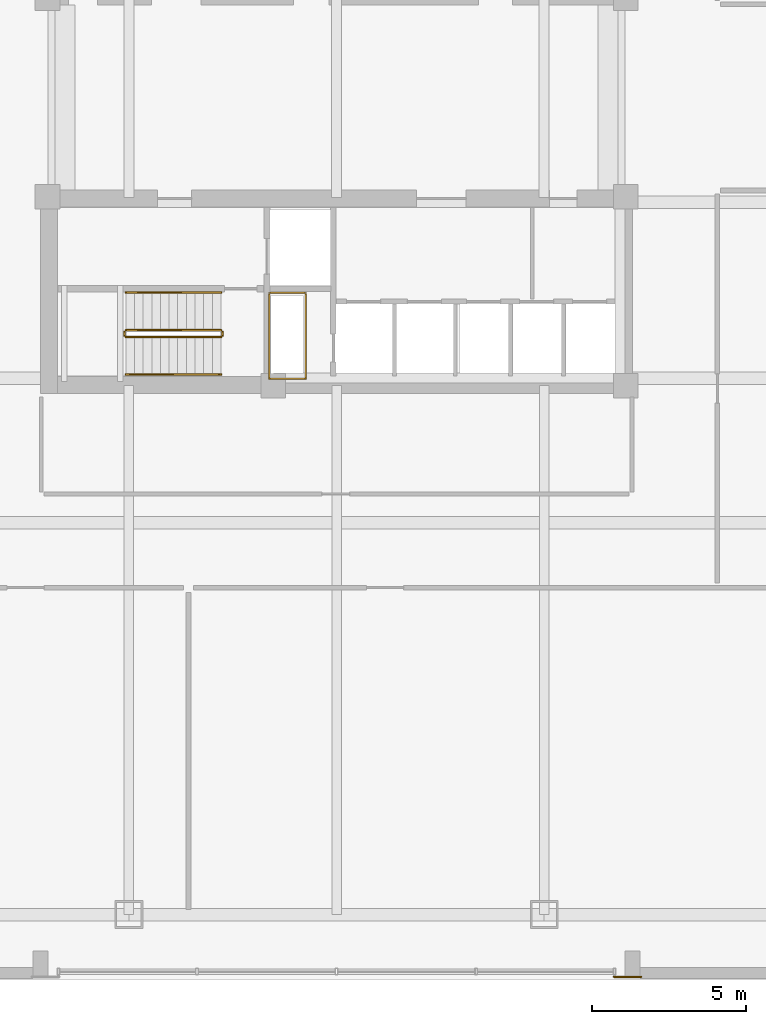
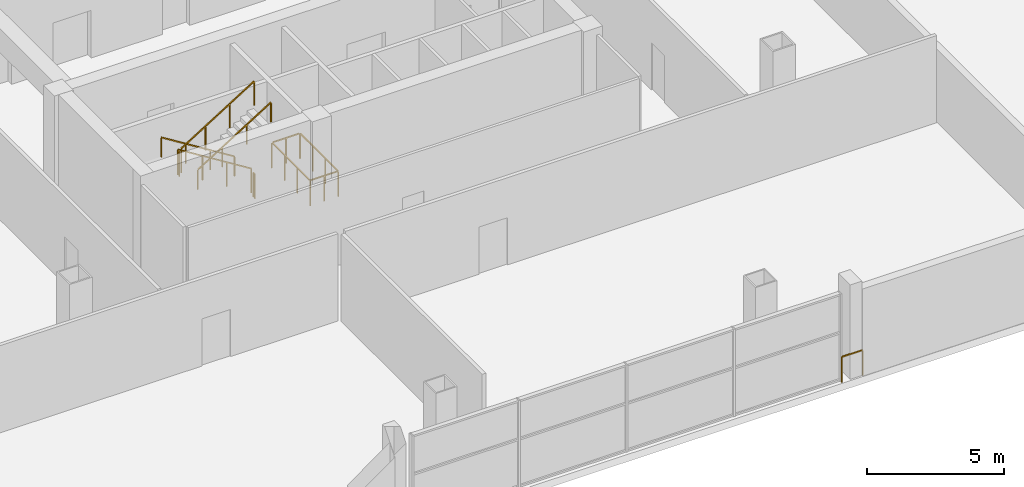
# One storey, part 18 of 21: 8 railings.
"""IFC4 building model written with IfcOpenShell, lengths in metres."""

from ifc_helpers import new_model, si_unit, direction, frame, origin, origin_2d, place, context, subcontext, project, spatial, rectangle, extrude, material, type_object, element, save


model = new_model("IFC4")

# Units and contexts
model_context = context("Model", 3, precision=1e-05, world=origin(), true_north=direction((0.0, 1.0)))
body_context = subcontext(model_context, "Body", "Model", "MODEL_VIEW")
ifc_project = project(units=[si_unit("LENGTHUNIT", "METRE"), si_unit("AREAUNIT", "SQUARE_METRE"), si_unit("VOLUMEUNIT", "CUBIC_METRE"), si_unit("PLANEANGLEUNIT", "RADIAN"), si_unit("MASSUNIT", "GRAM", prefix="KILO")], contexts=[model_context])

# Site, building, storey
site_placement = place(None, origin())
site = spatial("IfcSite", under=ifc_project, at=site_placement, CompositionType="ELEMENT")
building_placement = place(site_placement, origin())
building = spatial("IfcBuilding", under=site, at=building_placement, Name="Qhalaya Broadcast Tower", CompositionType="ELEMENT")
storey_placement = place(building_placement, frame((0.0, 0.0, 13.5)))
storey = spatial("IfcBuildingStorey", under=building, at=storey_placement, Name="L03", CompositionType="ELEMENT", Elevation=13.5)

# Railings
ifc_material = material(Name="Powder-Coated Galvanised Steel", Category="steel")
railing_type_1 = type_object("IfcRailingType", Name="Stair Wall Handrail 900", PredefinedType="HANDRAIL", material=ifc_material)
railing_1_placement = place(storey_placement, frame((-3.75, -5.72998046875, 0.175048828125)))
element("IfcRailing", 1, at=railing_1_placement, inside=storey, type_object=railing_type_1, Name="L03 ST-2 Stair Handrail 1", PredefinedType="HANDRAIL", context=body_context, shape_type="SweptSolid", body=[
    extrude(rectangle(XDim=0.048095703125, YDim=0.048095703125, at=origin_2d()), frame((0.0, 0.0, 0.8759765625), z_axis=(-0.847998304005, 0.0, 0.529998940003), x_axis=(0.0, -1.0, 0.0)), (0.0, 0.0, 1.0), 3.632080078125),
    extrude(rectangle(XDim=0.0419921875, YDim=0.0419921875, at=origin_2d()), origin(), (0.0, 0.0, 1.0), 0.849853515625),
    extrude(rectangle(XDim=0.0419921875, YDim=0.0419921875, at=origin_2d()), frame((-1.026611328125, 0.0, 0.6416015625)), (0.0, 0.0, 1.0), 0.849853515625),
    extrude(rectangle(XDim=0.0419921875, YDim=0.0419921875, at=origin_2d()), frame((-2.053466796875, 0.0, 1.283447265625)), (0.0, 0.0, 1.0), 0.849853515625),
    extrude(rectangle(XDim=0.0419921875, YDim=0.0419921875, at=origin_2d()), frame((-3.080078125, 0.0, 1.925048828125)), (0.0, 0.0, 1.0), 0.849853515625),
])
railing_2_placement = place(storey_placement, frame((-6.830078125, -8.389892578125, 2.27490234375)))
element("IfcRailing", 2, at=railing_2_placement, inside=storey, type_object=railing_type_1, Name="L03 ST-2 Stair Handrail 2", PredefinedType="HANDRAIL", context=body_context, shape_type="SweptSolid", body=[
    extrude(rectangle(XDim=0.048095703125, YDim=0.048095703125, at=origin_2d()), frame((0.0, 0.0, 0.8759765625), z_axis=(0.847998304005, 0.0, 0.529998940003), x_axis=(0.0, 1.0, 0.0)), (0.0, 0.0, 1.0), 3.632080078125),
    extrude(rectangle(XDim=0.0419921875, YDim=0.0419921875, at=origin_2d()), origin(), (0.0, 0.0, 1.0), 0.849853515625),
    extrude(rectangle(XDim=0.0419921875, YDim=0.0419921875, at=origin_2d()), frame((1.026611328125, 0.0, 0.6416015625)), (0.0, 0.0, 1.0), 0.849853515625),
    extrude(rectangle(XDim=0.0419921875, YDim=0.0419921875, at=origin_2d()), frame((2.053466796875, 0.0, 1.283447265625)), (0.0, 0.0, 1.0), 0.849853515625),
    extrude(rectangle(XDim=0.0419921875, YDim=0.0419921875, at=origin_2d()), frame((3.080078125, 0.0, 1.925048828125)), (0.0, 0.0, 1.0), 0.849853515625),
])
railing_type_2 = type_object("IfcRailingType", Name="Stair Well & Landing Guardrail 1100", PredefinedType="GUARDRAIL", material=ifc_material)
railing_3_placement = place(storey_placement, frame((-1.0, -8.52001953125, 0.0)))
element("IfcRailing", 3, at=railing_3_placement, inside=storey, type_object=railing_type_2, Name="L03 Service Riser Opening Safety Guard SRSR", PredefinedType="GUARDRAIL", context=body_context, shape_type="SweptSolid", body=[
    extrude(rectangle(XDim=0.048095703125, YDim=0.048095703125, at=origin_2d()), frame((0.0, 0.02880859375, 1.1259765625), z_axis=(0.0, 1.0, 0.0), x_axis=(-1.0, 0.0, 0.0)), (0.0, 0.0, 1.0), 2.722412109375),
    extrude(rectangle(XDim=0.048095703125, YDim=0.048095703125, at=origin_2d()), frame((-0.02880859375, 2.780029296875, 1.1259765625), z_axis=(-1.0, 0.0, 0.0), x_axis=(0.0, -1.0, 0.0)), (0.0, 0.0, 1.0), 1.122314453125),
    extrude(rectangle(XDim=0.048095703125, YDim=0.048095703125, at=origin_2d()), frame((-1.179931640625, 2.751220703125, 1.1259765625), z_axis=(0.0, -1.0, 0.0), x_axis=(1.0, 0.0, 0.0)), (0.0, 0.0, 1.0), 2.722412109375),
    extrude(rectangle(XDim=0.048095703125, YDim=0.048095703125, at=origin_2d()), frame((-1.151123046875, 0.0, 1.1259765625), z_axis=(1.0, 0.0, 0.0), x_axis=(0.0, 1.0, 0.0)), (0.0, 0.0, 1.0), 1.122314453125),
    extrude(rectangle(XDim=0.0419921875, YDim=0.0419921875, at=origin_2d()), origin(), (0.0, 0.0, 1.0), 1.099853515625),
    extrude(rectangle(XDim=0.0419921875, YDim=0.0419921875, at=origin_2d()), frame((0.0, 0.9267578125, 0.0)), (0.0, 0.0, 1.0), 1.099853515625),
    extrude(rectangle(XDim=0.0419921875, YDim=0.0419921875, at=origin_2d()), frame((0.0, 1.853271484375, 0.0)), (0.0, 0.0, 1.0), 1.099853515625),
    extrude(rectangle(XDim=0.0419921875, YDim=0.0419921875, at=origin_2d()), frame((0.0, 2.780029296875, 0.0)), (0.0, 0.0, 1.0), 1.099853515625),
    extrude(rectangle(XDim=0.0419921875, YDim=0.0419921875, at=origin_2d()), frame((-0.58984375, 2.780029296875, 0.0)), (0.0, 0.0, 1.0), 1.099853515625),
    extrude(rectangle(XDim=0.0419921875, YDim=0.0419921875, at=origin_2d()), frame((-1.179931640625, 2.780029296875, 0.0)), (0.0, 0.0, 1.0), 1.099853515625),
    extrude(rectangle(XDim=0.0419921875, YDim=0.0419921875, at=origin_2d()), frame((-1.179931640625, 1.853271484375, 0.0)), (0.0, 0.0, 1.0), 1.099853515625),
    extrude(rectangle(XDim=0.0419921875, YDim=0.0419921875, at=origin_2d()), frame((-1.179931640625, 0.9267578125, 0.0)), (0.0, 0.0, 1.0), 1.099853515625),
    extrude(rectangle(XDim=0.0419921875, YDim=0.0419921875, at=origin_2d()), frame((-1.179931640625, 0.0, 0.0)), (0.0, 0.0, 1.0), 1.099853515625),
    extrude(rectangle(XDim=0.0419921875, YDim=0.0419921875, at=origin_2d()), frame((-0.58984375, 0.0, 0.0)), (0.0, 0.0, 1.0), 1.099853515625),
])
railing_4_placement = place(storey_placement, frame((-3.75, -6.949951171875, 0.175048828125)))
element("IfcRailing", 4, at=railing_4_placement, inside=storey, type_object=railing_type_2, Name="L03 ST-2 Stair Guard 1", PredefinedType="GUARDRAIL", context=body_context, shape_type="SweptSolid", body=[
    extrude(rectangle(XDim=0.048095703125, YDim=0.048095703125, at=origin_2d()), frame((0.0, 0.0, 1.076171875), z_axis=(-0.847998304005, 0.0, 0.529998940003), x_axis=(0.0, -1.0, 0.0)), (0.0, 0.0, 1.0), 3.632080078125),
    extrude(rectangle(XDim=0.0419921875, YDim=0.0419921875, at=origin_2d()), origin(), (0.0, 0.0, 1.0), 1.050048828125),
    extrude(rectangle(XDim=0.0419921875, YDim=0.0419921875, at=origin_2d()), frame((-1.026611328125, 0.0, 0.6416015625)), (0.0, 0.0, 1.0), 1.050048828125),
    extrude(rectangle(XDim=0.0419921875, YDim=0.0419921875, at=origin_2d()), frame((-2.053466796875, 0.0, 1.283447265625)), (0.0, 0.0, 1.0), 1.050048828125),
    extrude(rectangle(XDim=0.0419921875, YDim=0.0419921875, at=origin_2d()), frame((-3.080078125, 0.0, 1.925048828125)), (0.0, 0.0, 1.0), 1.050048828125),
])
railing_5_placement = place(storey_placement, frame((-6.8798828125, -7.0, 2.10009765625)))
element("IfcRailing", 5, at=railing_5_placement, inside=storey, type_object=railing_type_2, Name="L03 ST-2 Stair Guard 2", PredefinedType="GUARDRAIL", context=body_context, shape_type="SweptSolid", body=[
    extrude(rectangle(XDim=0.048095703125, YDim=0.048095703125, at=origin_2d()), frame((0.0, 0.0, 1.076171875), z_axis=(0.0, -1.0, 0.0), x_axis=(1.0, 0.0, 0.0)), (0.0, 0.0, 1.0), 0.1201171875),
    extrude(rectangle(XDim=0.0419921875, YDim=0.0419921875, at=origin_2d()), origin(), (0.0, 0.0, 1.0), 1.050048828125),
    extrude(rectangle(XDim=0.0419921875, YDim=0.0419921875, at=origin_2d()), frame((0.0, -0.1201171875, 0.0)), (0.0, 0.0, 1.0), 1.050048828125),
])
railing_6_placement = place(storey_placement, frame((-6.830078125, -7.169921875, 2.27490234375)))
element("IfcRailing", 6, at=railing_6_placement, inside=storey, type_object=railing_type_2, Name="L03 ST-2 Stair Guard 3", PredefinedType="GUARDRAIL", context=body_context, shape_type="SweptSolid", body=[
    extrude(rectangle(XDim=0.048095703125, YDim=0.048095703125, at=origin_2d()), frame((0.0, 0.0, 1.076171875), z_axis=(0.847998304005, 0.0, 0.529998940003), x_axis=(0.0, 1.0, 0.0)), (0.0, 0.0, 1.0), 3.632080078125),
    extrude(rectangle(XDim=0.0419921875, YDim=0.0419921875, at=origin_2d()), origin(), (0.0, 0.0, 1.0), 1.050048828125),
    extrude(rectangle(XDim=0.0419921875, YDim=0.0419921875, at=origin_2d()), frame((1.026611328125, 0.0, 0.6416015625)), (0.0, 0.0, 1.0), 1.050048828125),
    extrude(rectangle(XDim=0.0419921875, YDim=0.0419921875, at=origin_2d()), frame((2.053466796875, 0.0, 1.283447265625)), (0.0, 0.0, 1.0), 1.050048828125),
    extrude(rectangle(XDim=0.0419921875, YDim=0.0419921875, at=origin_2d()), frame((3.080078125, 0.0, 1.925048828125)), (0.0, 0.0, 1.0), 1.050048828125),
])
railing_7_placement = place(storey_placement, frame((-3.699951171875, -7.0, 0.0)))
element("IfcRailing", 7, at=railing_7_placement, inside=storey, type_object=railing_type_2, Name="L03 ST-2 Stair Guard 4", PredefinedType="GUARDRAIL", context=body_context, shape_type="SweptSolid", body=[
    extrude(rectangle(XDim=0.048095703125, YDim=0.048095703125, at=origin_2d()), frame((0.0, 0.0, 1.076171875), z_axis=(0.0, -1.0, 0.0), x_axis=(1.0, 0.0, 0.0)), (0.0, 0.0, 1.0), 0.1201171875),
    extrude(rectangle(XDim=0.0419921875, YDim=0.0419921875, at=origin_2d()), origin(), (0.0, 0.0, 1.0), 1.050048828125),
    extrude(rectangle(XDim=0.0419921875, YDim=0.0419921875, at=origin_2d()), frame((0.0, -0.1201171875, 0.0)), (0.0, 0.0, 1.0), 1.050048828125),
])
railing_type_3 = type_object("IfcRailingType", Name="Terrace, Sky-Pool & Lookout Glass Balustrade 1150", PredefinedType="BALUSTRADE", material=ifc_material)
railing_8_placement = place(storey_placement, frame((9.0, -27.919921875, 0.0)))
element("IfcRailing", 8, at=railing_8_placement, inside=storey, type_object=railing_type_3, Name="L03 Concourse Portal Shoulder Safety Balustrade PSE", PredefinedType="BALUSTRADE", context=body_context, shape_type="SweptSolid", body=[
    extrude(rectangle(XDim=0.048095703125, YDim=0.048095703125, at=origin_2d()), frame((0.0, 0.0, 1.1259765625), z_axis=(1.0, 0.0, 0.0), x_axis=(0.0, 1.0, 0.0)), (0.0, 0.0, 1.0), 0.8798828125),
    extrude(rectangle(XDim=0.0419921875, YDim=0.0419921875, at=origin_2d()), origin(), (0.0, 0.0, 1.0), 1.099853515625),
    extrude(rectangle(XDim=0.0419921875, YDim=0.0419921875, at=origin_2d()), frame((0.8798828125, 0.0, 0.0)), (0.0, 0.0, 1.0), 1.099853515625),
])

save(model, "model.ifc")
